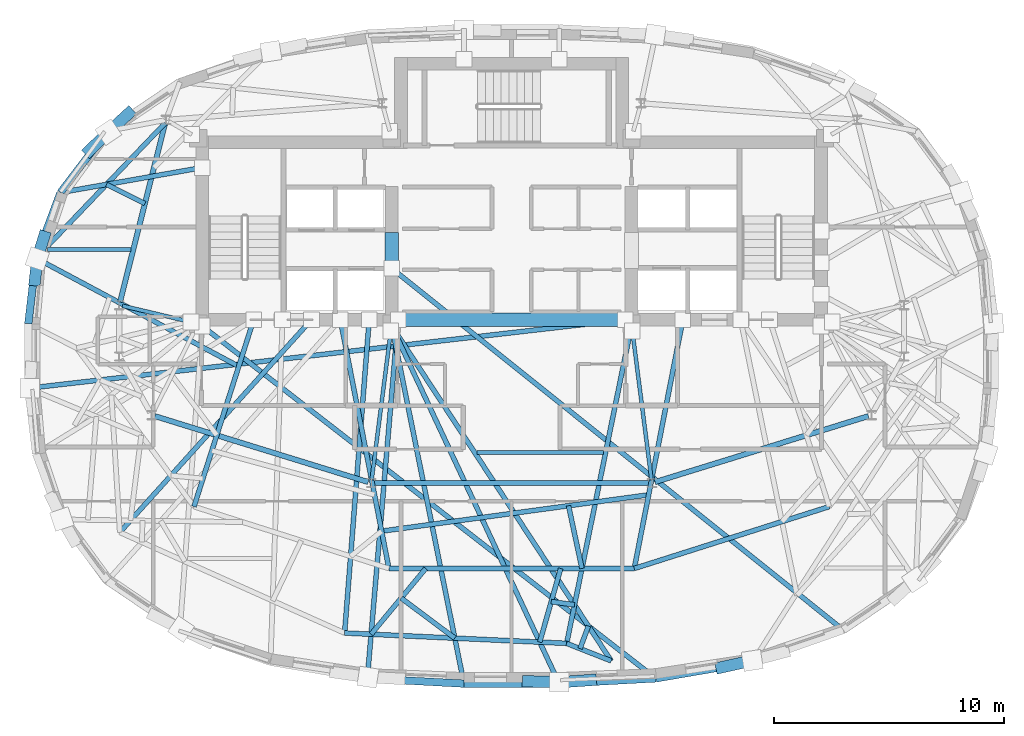
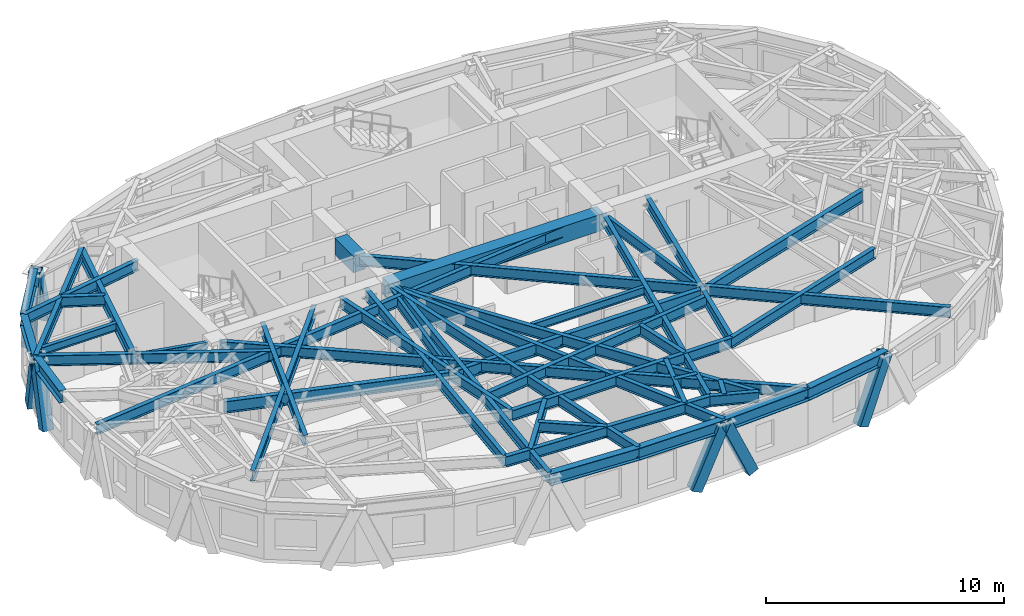
# One storey, part 2 of 12: 46 beams, 7 members.
"""IFC4 building model written with IfcOpenShell, lengths in metres."""

from ifc_helpers import new_model, si_unit, direction, frame, origin, origin_2d, place, context, subcontext, project, spatial, rectangle, hollow_rectangle, i_section, extrude, material, material_profile, profile_set, type_object, element, save


model = new_model("IFC4")

# Units and contexts
model_context = context("Model", 3, precision=1e-05, world=origin(), true_north=direction((0.0, 1.0)))
body_context = subcontext(model_context, "Body", "Model", "MODEL_VIEW")
ifc_project = project(units=[si_unit("LENGTHUNIT", "METRE"), si_unit("AREAUNIT", "SQUARE_METRE"), si_unit("VOLUMEUNIT", "CUBIC_METRE"), si_unit("PLANEANGLEUNIT", "RADIAN"), si_unit("MASSUNIT", "GRAM", prefix="KILO")], contexts=[model_context])

# Site, building, storey
site_placement = place(None, origin())
site = spatial("IfcSite", under=ifc_project, at=site_placement, CompositionType="ELEMENT")
building_placement = place(site_placement, origin())
building = spatial("IfcBuilding", under=site, at=building_placement, Name="Keldmark Tower", CompositionType="ELEMENT")
storey_placement = place(building_placement, frame((0.0, 0.0, 250.949951171875)))
storey = spatial("IfcBuildingStorey", under=building, at=storey_placement, Name="L71", CompositionType="ELEMENT", Elevation=250.949951171875)

# Beams
ifc_material_1 = material(Name="Steel ASTM A992 Grade 50", Category="steel")
ifc_material_profile_1 = material_profile(ifc_material_1, i_section(OverallWidth=0.177978515625, OverallDepth=0.403076171875, WebThickness=0.007568359375, FlangeThickness=0.010986328125, at=origin_2d()), Name="W16X36")
ifc_profile_set_1 = profile_set([ifc_material_profile_1], Name="Steel ASTM A992 Grade 50")
beam_type_1 = type_object("IfcBeamType", Name="Composite Floor Joist W16X36", PredefinedType="JOIST", material=ifc_profile_set_1)
beam_1_placement = place(storey_placement, frame((-1.4921875, -4.179931640625, 2.7685546875), z_axis=(1.0, 0.0, 0.0), x_axis=(0.0, 1.0, 0.0)))
element("IfcBeam", 1, at=beam_1_placement, inside=storey, type_object=beam_type_1, Name="L71 Composite Floor Joist J03", PredefinedType="JOIST", context=body_context, shape_type="SweptSolid", body=[
    extrude(i_section(OverallWidth=0.177978515625, OverallDepth=0.403076171875, WebThickness=0.007568359375, FlangeThickness=0.010986328125, at=origin_2d()), origin(), (0.0, 0.0, 1.0), 5.4755859375),
])
beam_2_placement = place(storey_placement, frame((-20.14306640625, 4.6201171875, 2.7685546875), z_axis=(1.0, 0.0, 0.0), x_axis=(0.0, 1.0, 0.0)))
element("IfcBeam", 2, at=beam_2_placement, inside=storey, type_object=beam_type_1, Name="L71 Composite Floor Joist J04", PredefinedType="JOIST", context=body_context, shape_type="SweptSolid", body=[
    extrude(i_section(OverallWidth=0.177978515625, OverallDepth=0.403076171875, WebThickness=0.007568359375, FlangeThickness=0.010986328125, at=origin_2d()), origin(), (0.0, 0.0, 1.0), 3.6181640625),
])
ifc_material_2 = material(Name="Concrete C50/60", Category="concrete")
ifc_material_profile_2 = material_profile(ifc_material_2, rectangle(XDim=0.60009765625, YDim=0.85009765625, at=origin_2d()), Name="RCB600X850")
ifc_profile_set_2 = profile_set([ifc_material_profile_2], Name="Concrete C50/60")
beam_type_2 = type_object("IfcBeamType", Name="Core Coupling Beam RCB600X850", PredefinedType="USERDEFINED", material=ifc_profile_set_2)
beam_3_placement = place(storey_placement, frame((-5.199951171875, 3.800048828125, 2.545166015625), z_axis=(0.0, 1.0, 0.0), x_axis=(-1.0, 0.0, 0.0)))
element("IfcBeam", 3, at=beam_3_placement, inside=storey, type_object=beam_type_2, Name="L71 West Core Coupling Beam", ObjectType="COUPLING BEAM", PredefinedType="USERDEFINED", context=body_context, shape_type="SweptSolid", body=[
    extrude(rectangle(XDim=0.60009765625, YDim=0.85009765625, at=origin_2d()), origin(), (0.0, 0.0, 1.0), 1.550048828125),
])
beam_4_placement = place(storey_placement, frame((-5.199951171875, 1.574951171875, 2.545166015625), z_axis=(1.0, 0.0, 0.0), x_axis=(0.0, 1.0, 0.0)))
element("IfcBeam", 4, at=beam_4_placement, inside=storey, type_object=beam_type_2, Name="L71 Central South Core Coupling Beam", ObjectType="COUPLING BEAM", PredefinedType="USERDEFINED", context=body_context, shape_type="SweptSolid", body=[
    extrude(rectangle(XDim=0.60009765625, YDim=0.85009765625, at=origin_2d()), origin(), (0.0, 0.0, 1.0), 10.39990234375),
])

# Members
ifc_material_3 = material(Name="Steel ASTM A572 Grade 50", Category="steel")
ifc_material_profile_3 = material_profile(ifc_material_3, hollow_rectangle(XDim=0.5, YDim=0.5, WallThickness=0.030029296875, at=origin_2d()), Name="BOX500X500X30")
ifc_profile_set_3 = profile_set([ifc_material_profile_3], Name="Steel ASTM A572 Grade 50")
member_type = type_object("IfcMemberType", Name="Diagrid Upper Brace BOX500X500X30", PredefinedType="BRACE", material=ifc_profile_set_3)
member_1_placement = place(storey_placement, frame((-16.612548828125, 10.525390625, -0.260009765625), z_axis=(-0.26582714365, -0.244010429575, 0.932627921498), x_axis=(0.676229778766, -0.736690767086, 0.0)))
element("IfcMember", 5, at=member_1_placement, inside=storey, type_object=member_type, Name="L71 Perimeter Diagrid Brace 06B", PredefinedType="BRACE", context=body_context, shape_type="SweptSolid", body=[
    extrude(hollow_rectangle(XDim=0.5, YDim=0.5, WallThickness=0.030029296875, at=origin_2d()), origin(), (0.0, 0.0, 1.0), 3.334716796875),
])
member_2_placement = place(storey_placement, frame((-18.32421875, 8.91015625, -0.260009765625), z_axis=(0.251042980885, 0.243910242412, 0.936741808288), x_axis=(-0.69684435686, 0.717222379958, 0.0)))
element("IfcMember", 6, at=member_2_placement, inside=storey, type_object=member_type, Name="L71 Perimeter Diagrid Brace 07A", PredefinedType="BRACE", context=body_context, shape_type="SweptSolid", body=[
    extrude(hollow_rectangle(XDim=0.5, YDim=0.5, WallThickness=0.030029296875, at=origin_2d()), origin(), (0.0, 0.0, 1.0), 3.320068359375),
])
member_3_placement = place(storey_placement, frame((-20.28515625, 5.18359375, -0.260009765625), z_axis=(-0.091362196537, -0.295807503985, 0.950868481773), x_axis=(0.955465694242, -0.295102197767, 0.0)))
element("IfcMember", 7, at=member_3_placement, inside=storey, type_object=member_type, Name="L71 Perimeter Diagrid Brace 07B", PredefinedType="BRACE", context=body_context, shape_type="SweptSolid", body=[
    extrude(hollow_rectangle(XDim=0.5, YDim=0.5, WallThickness=0.030029296875, at=origin_2d()), origin(), (0.0, 0.0, 1.0), 3.270751953125),
])
member_4_placement = place(storey_placement, frame((-20.68603515625, 3.281005859375, -0.260009765625), z_axis=(0.032726697691, 0.290862278792, 0.956205050203), x_axis=(-0.99372953543, 0.111810600632, 0.0)))
element("IfcMember", 8, at=member_4_placement, inside=storey, type_object=member_type, Name="L71 Perimeter Diagrid Brace 08A", PredefinedType="BRACE", context=body_context, shape_type="SweptSolid", body=[
    extrude(hollow_rectangle(XDim=0.5, YDim=0.5, WallThickness=0.030029296875, at=origin_2d()), origin(), (0.0, 0.0, 1.0), 3.25244140625),
])
member_5_placement = place(storey_placement, frame((0.6923828125, -14.1171875, -0.260009765625), z_axis=(0.405281794014, -0.012342150951, 0.914108493971), x_axis=(0.030439146415, 0.999536621823, 0.0)))
element("IfcMember", 9, at=member_5_placement, inside=storey, type_object=member_type, Name="L71 Perimeter Diagrid Brace 12B", PredefinedType="BRACE", context=body_context, shape_type="SweptSolid", body=[
    extrude(hollow_rectangle(XDim=0.5, YDim=0.5, WallThickness=0.030029296875, at=origin_2d()), origin(), (0.0, 0.0, 1.0), 3.40234375),
])
member_6_placement = place(storey_placement, frame((3.4560546875, -14.06103515625, -0.260009765625), z_axis=(-0.409447533875, -0.02877585815, 0.911879743712), x_axis=(0.07010679643, -0.997539491496, 0.0)))
element("IfcMember", 10, at=member_6_placement, inside=storey, type_object=member_type, Name="L71 Perimeter Diagrid Brace 13A", PredefinedType="BRACE", context=body_context, shape_type="SweptSolid", body=[
    extrude(hollow_rectangle(XDim=0.5, YDim=0.5, WallThickness=0.030029296875, at=origin_2d()), origin(), (0.0, 0.0, 1.0), 3.41064453125),
])
member_7_placement = place(storey_placement, frame((9.089111328125, -13.513671875, -0.260009765625), z_axis=(0.398098379562, 0.088091989284, 0.913103215203), x_axis=(-0.216055518034, 0.97638107987, 0.0)))
element("IfcMember", 11, at=member_7_placement, inside=storey, type_object=member_type, Name="L71 Perimeter Diagrid Brace 13B", PredefinedType="BRACE", context=body_context, shape_type="SweptSolid", body=[
    extrude(hollow_rectangle(XDim=0.5, YDim=0.5, WallThickness=0.030029296875, at=origin_2d()), origin(), (0.0, 0.0, 1.0), 3.406005859375),
])

# Beams
ifc_material_4 = material(Name="Steel ASTM A992 Grade 50", Category="steel")
ifc_material_profile_4 = material_profile(ifc_material_4, i_section(OverallWidth=0.22802734375, OverallDepth=0.60302734375, WebThickness=0.010498046875, FlangeThickness=0.014892578125, at=origin_2d()), Name="W24X68")
ifc_profile_set_4 = profile_set([ifc_material_profile_4], Name="Steel ASTM A992 Grade 50")
beam_type_3 = type_object("IfcBeamType", Name="Primary Floor Girder W24X68", PredefinedType="BEAM", material=ifc_profile_set_4)
beam_5_placement = place(storey_placement, frame((-15.030029296875, 10.10791015625, 2.66845703125), z_axis=(-0.244902129455, -0.969547805417, 0.0), x_axis=(0.969547805417, -0.244902129455, 0.0)))
element("IfcBeam", 12, at=beam_5_placement, inside=storey, type_object=beam_type_3, Name="L71 Floor Ring Girder FG-R05", PredefinedType="BEAM", context=body_context, shape_type="SweptSolid", body=[
    extrude(i_section(OverallWidth=0.22802734375, OverallDepth=0.60302734375, WebThickness=0.010498046875, FlangeThickness=0.014892578125, at=origin_2d()), origin(), (0.0, 0.0, 1.0), 8.008056640625),
])
beam_6_placement = place(storey_placement, frame((-15.482421875, -2.60888671875, 2.66845703125), z_axis=(0.955383255089, -0.295368982622, 0.0), x_axis=(0.295368982622, 0.955383255089, 0.0)))
element("IfcBeam", 13, at=beam_6_placement, inside=storey, type_object=beam_type_3, Name="L71 Floor Ring Girder FG-R08", PredefinedType="BEAM", context=body_context, shape_type="SweptSolid", body=[
    extrude(i_section(OverallWidth=0.22802734375, OverallDepth=0.60302734375, WebThickness=0.010498046875, FlangeThickness=0.014892578125, at=origin_2d()), origin(), (0.0, 0.0, 1.0), 9.69140625),
])
beam_7_placement = place(storey_placement, frame((-5.949462890625, -5.512939453125, 2.66845703125), z_axis=(1.0, 0.0, 0.0), x_axis=(0.0, 1.0, 0.0)))
element("IfcBeam", 14, at=beam_7_placement, inside=storey, type_object=beam_type_3, Name="L71 Floor Ring Girder FG-R09", PredefinedType="BEAM", context=body_context, shape_type="SweptSolid", body=[
    extrude(i_section(OverallWidth=0.22802734375, OverallDepth=0.60302734375, WebThickness=0.010498046875, FlangeThickness=0.014892578125, at=origin_2d()), origin(), (0.0, 0.0, 1.0), 11.89892578125),
])
beam_8_placement = place(storey_placement, frame((6.223388671875, -5.471435546875, 2.66845703125), z_axis=(0.955383255089, 0.295368982622, 0.0), x_axis=(-0.295368982622, 0.955383255089, 0.0)))
element("IfcBeam", 15, at=beam_8_placement, inside=storey, type_object=beam_type_3, Name="L71 Floor Ring Girder FG-R10", PredefinedType="BEAM", context=body_context, shape_type="SweptSolid", body=[
    extrude(i_section(OverallWidth=0.22802734375, OverallDepth=0.60302734375, WebThickness=0.010498046875, FlangeThickness=0.014892578125, at=origin_2d()), origin(), (0.0, 0.0, 1.0), 9.69140625),
])
ifc_material_5 = material(Name="Steel ASTM A992 Grade 50", Category="steel")
ifc_material_profile_5 = material_profile(ifc_material_5, i_section(OverallWidth=0.166015625, OverallDepth=0.529052734375, WebThickness=0.009765625, FlangeThickness=0.013671875, at=origin_2d()), Name="W21X50")
ifc_profile_set_5 = profile_set([ifc_material_profile_5], Name="Steel ASTM A992 Grade 50")
beam_type_4 = type_object("IfcBeamType", Name="Radial Tie Girder W21X50", PredefinedType="BEAM", material=ifc_profile_set_5)
beam_9_placement = place(storey_placement, frame((-16.889404296875, 2.17578125, 2.70556640625), z_axis=(0.97329039005, -0.229577474147, 0.0), x_axis=(0.229577474147, 0.97329039005, 0.0)))
element("IfcBeam", 16, at=beam_9_placement, inside=storey, type_object=beam_type_4, Name="L71 Floor Radial Girder FG-C06", PredefinedType="BEAM", context=body_context, shape_type="SweptSolid", body=[
    extrude(i_section(OverallWidth=0.166015625, OverallDepth=0.529052734375, WebThickness=0.009765625, FlangeThickness=0.013671875, at=origin_2d()), origin(), (0.0, 0.0, 1.0), 3.0595703125),
])
for number, where, z_axis, x_axis, name in (
    (17, (-6.071533203125, -5.3740234375, 2.70556640625), (0.127625044513, 0.991822488157, 0.0), (-0.991822488157, 0.127625044513, 0.0), "L71 Floor Radial Girder FG-C09"),
    (18, (6.071533203125, -5.3740234375, 2.70556640625), (-0.127625044513, 0.991822488157, 0.0), (-0.991822488157, -0.127625044513, 0.0), "L71 Floor Radial Girder FG-C10"),
):
    element("IfcBeam", number, at=place(storey_placement, frame(where, z_axis=z_axis, x_axis=x_axis)), inside=storey, type_object=beam_type_4, Name=name, PredefinedType="BEAM", context=body_context, shape_type="SweptSolid", body=[
        extrude(i_section(OverallWidth=0.166015625, OverallDepth=0.529052734375, WebThickness=0.009765625, FlangeThickness=0.013671875, at=origin_2d()), origin(), (0.0, 0.0, 1.0), 6.509765625),
    ])
ifc_material_6 = material(Name="Steel ASTM A992 Grade 50", Category="steel")
ifc_material_profile_6 = material_profile(ifc_material_6, i_section(OverallWidth=0.2099609375, OverallDepth=0.537109375, WebThickness=0.010986328125, FlangeThickness=0.017333984375, at=origin_2d()), Name="W21X68")
ifc_profile_set_6 = profile_set([ifc_material_profile_6], Name="Steel ASTM A992 Grade 50")
beam_type_5 = type_object("IfcBeamType", Name="Radial Tie Girder W21X68", PredefinedType="BEAM", material=ifc_profile_set_6)
beam_10_placement = place(storey_placement, frame((-11.19287109375, 1.574951171875, 2.70166015625), z_axis=(-0.304029653718, -0.952662568625, 0.0), x_axis=(0.952662568625, -0.304029653718, 0.0)))
element("IfcBeam", 19, at=beam_10_placement, inside=storey, type_object=beam_type_5, Name="L71 Sub-Ring Step Girder STP1-M08", PredefinedType="BEAM", context=body_context, shape_type="SweptSolid", body=[
    extrude(i_section(OverallWidth=0.2099609375, OverallDepth=0.537109375, WebThickness=0.010986328125, FlangeThickness=0.017333984375, at=origin_2d()), origin(), (0.0, 0.0, 1.0), 8.514404296875),
])
beam_11_placement = place(storey_placement, frame((-7.43212890625, 1.574951171875, 2.70166015625), z_axis=(0.191688174065, -0.981455879764, 0.0), x_axis=(0.981455879764, 0.191688174065, 0.0)))
element("IfcBeam", 20, at=beam_11_placement, inside=storey, type_object=beam_type_5, Name="L71 Sub-Ring Step Girder STP1-M09", PredefinedType="BEAM", context=body_context, shape_type="SweptSolid", body=[
    extrude(i_section(OverallWidth=0.2099609375, OverallDepth=0.537109375, WebThickness=0.010986328125, FlangeThickness=0.017333984375, at=origin_2d()), origin(), (0.0, 0.0, 1.0), 11.00048828125),
])
beam_12_placement = place(storey_placement, frame((-5.639892578125, -7.601806640625, 2.70166015625), z_axis=(0.990867478667, 0.134839310735, 0.0), x_axis=(-0.134839310735, 0.990867478667, 0.0)))
element("IfcBeam", 21, at=beam_12_placement, inside=storey, type_object=beam_type_5, Name="L71 Framing Pin Header PH-004", PredefinedType="BEAM", context=body_context, shape_type="SweptSolid", body=[
    extrude(i_section(OverallWidth=0.2099609375, OverallDepth=0.537109375, WebThickness=0.010986328125, FlangeThickness=0.017333984375, at=origin_2d()), origin(), (0.0, 0.0, 1.0), 11.694580078125),
])
beam_13_placement = place(storey_placement, frame((7.43212890625, 1.574951171875, 2.70166015625), z_axis=(-0.191688174065, -0.981455879764, 0.0), x_axis=(0.981455879764, -0.191688174065, 0.0)))
element("IfcBeam", 22, at=beam_13_placement, inside=storey, type_object=beam_type_5, Name="L71 Sub-Ring Step Girder STP1-M10", PredefinedType="BEAM", context=body_context, shape_type="SweptSolid", body=[
    extrude(i_section(OverallWidth=0.2099609375, OverallDepth=0.537109375, WebThickness=0.010986328125, FlangeThickness=0.017333984375, at=origin_2d()), origin(), (0.0, 0.0, 1.0), 11.00048828125),
])
beam_14_placement = place(storey_placement, frame((-5.323486328125, -9.221435546875, 2.70166015625), z_axis=(1.0, 0.0, 0.0), x_axis=(0.0, 1.0, 0.0)))
element("IfcBeam", 23, at=beam_14_placement, inside=storey, type_object=beam_type_5, Name="L71 Perimeter Collector Ring Beam CRG1-M09", PredefinedType="BEAM", context=body_context, shape_type="SweptSolid", body=[
    extrude(i_section(OverallWidth=0.2099609375, OverallDepth=0.537109375, WebThickness=0.010986328125, FlangeThickness=0.017333984375, at=origin_2d()), origin(), (0.0, 0.0, 1.0), 10.64697265625),
])
beam_15_placement = place(storey_placement, frame((5.323486328125, -9.221435546875, 2.70166015625), z_axis=(0.953125022792, 0.302576752126, 0.0), x_axis=(-0.302576752126, 0.953125022792, 0.0)))
element("IfcBeam", 24, at=beam_15_placement, inside=storey, type_object=beam_type_5, Name="L71 Perimeter Collector Ring Beam CRG1-M10", PredefinedType="BEAM", context=body_context, shape_type="SweptSolid", body=[
    extrude(i_section(OverallWidth=0.2099609375, OverallDepth=0.537109375, WebThickness=0.010986328125, FlangeThickness=0.017333984375, at=origin_2d()), origin(), (0.0, 0.0, 1.0), 8.8740234375),
])
beam_16_placement = place(storey_placement, frame((-8.685791015625, 1.574951171875, 2.70166015625), z_axis=(-0.669482635603, -0.742827705882, 0.0), x_axis=(0.742827705882, -0.669482635603, 0.0)))
element("IfcBeam", 25, at=beam_16_placement, inside=storey, type_object=beam_type_5, Name="L71 Sub-Ring Step Girder STP2-M08", PredefinedType="BEAM", context=body_context, shape_type="SweptSolid", body=[
    extrude(i_section(OverallWidth=0.2099609375, OverallDepth=0.537109375, WebThickness=0.010986328125, FlangeThickness=0.017333984375, at=origin_2d()), origin(), (0.0, 0.0, 1.0), 12.419189453125),
])
beam_17_placement = place(storey_placement, frame((-6.1787109375, 1.574951171875, 2.70166015625), z_axis=(-0.078284392954, -0.996931067737, 0.0), x_axis=(0.996931067737, -0.078284392954, 0.0)))
element("IfcBeam", 26, at=beam_17_placement, inside=storey, type_object=beam_type_5, Name="L71 Sub-Ring Step Girder STP2-M09", PredefinedType="BEAM", context=body_context, shape_type="SweptSolid", body=[
    extrude(i_section(OverallWidth=0.2099609375, OverallDepth=0.537109375, WebThickness=0.010986328125, FlangeThickness=0.017333984375, at=origin_2d()), origin(), (0.0, 0.0, 1.0), 13.6376953125),
])
beam_18_placement = place(storey_placement, frame((2.4716796875, -6.498046875, 2.70166015625), z_axis=(0.208660833377, -0.977988065681, 0.0), x_axis=(0.977988065681, 0.208660833377, 0.0)))
element("IfcBeam", 27, at=beam_18_placement, inside=storey, type_object=beam_type_5, Name="L71 Framing Pin Header PH-009", PredefinedType="BEAM", context=body_context, shape_type="SweptSolid", body=[
    extrude(i_section(OverallWidth=0.2099609375, OverallDepth=0.537109375, WebThickness=0.010986328125, FlangeThickness=0.017333984375, at=origin_2d()), origin(), (0.0, 0.0, 1.0), 2.78466796875),
])
beam_19_placement = place(storey_placement, frame((5.199951171875, 1.300048828125, 2.70166015625), z_axis=(-0.199962734513, -0.979803503161, 0.0), x_axis=(0.979803503161, -0.199962734513, 0.0)))
element("IfcBeam", 28, at=beam_19_placement, inside=storey, type_object=beam_type_5, Name="L71 Sub-Ring Step Girder STP2-M10", PredefinedType="BEAM", context=body_context, shape_type="SweptSolid", body=[
    extrude(i_section(OverallWidth=0.2099609375, OverallDepth=0.537109375, WebThickness=0.010986328125, FlangeThickness=0.017333984375, at=origin_2d()), origin(), (0.0, 0.0, 1.0), 14.055419921875),
])
beam_20_placement = place(storey_placement, frame((-7.246337890625, -12.02099609375, 2.70166015625), z_axis=(0.998909159046, -0.04669573828, 0.0), x_axis=(0.04669573828, 0.998909159046, 0.0)))
element("IfcBeam", 29, at=beam_20_placement, inside=storey, type_object=beam_type_5, Name="L71 Perimeter Collector Ring Beam CRG2-M09", PredefinedType="BEAM", context=body_context, shape_type="SweptSolid", body=[
    extrude(i_section(OverallWidth=0.2099609375, OverallDepth=0.537109375, WebThickness=0.010986328125, FlangeThickness=0.017333984375, at=origin_2d()), origin(), (0.0, 0.0, 1.0), 9.646240234375),
])
beam_21_placement = place(storey_placement, frame((-11.840087890625, -0.452880859375, 2.70166015625), z_axis=(-0.882119707426, 0.471025287824, 0.0), x_axis=(-0.471025287824, -0.882119707426, 0.0)))
element("IfcBeam", 30, at=beam_21_placement, inside=storey, type_object=beam_type_5, Name="L71 Perimeter Radial Tie Girder RT-15", PredefinedType="BEAM", context=body_context, shape_type="SweptSolid", body=[
    extrude(i_section(OverallWidth=0.2099609375, OverallDepth=0.537109375, WebThickness=0.010986328125, FlangeThickness=0.017333984375, at=origin_2d()), origin(), (0.0, 0.0, 1.0), 9.972412109375),
])
beam_22_placement = place(storey_placement, frame((4.925048828125, 1.574951171875, 2.70166015625), z_axis=(-0.993464480642, -0.114141691341, 0.0), x_axis=(0.114141691341, -0.993464480642, 0.0)))
element("IfcBeam", 31, at=beam_22_placement, inside=storey, type_object=beam_type_5, Name="L71 Perimeter Radial Tie Girder RT-17", PredefinedType="BEAM", context=body_context, shape_type="SweptSolid", body=[
    extrude(i_section(OverallWidth=0.2099609375, OverallDepth=0.537109375, WebThickness=0.010986328125, FlangeThickness=0.017333984375, at=origin_2d()), origin(), (0.0, 0.0, 1.0), 26.067138671875),
])
beam_23_placement = place(storey_placement, frame((-3.7265625, -9.221435546875, 2.70166015625), z_axis=(-0.638817138917, -0.76935860496, 0.0), x_axis=(0.76935860496, -0.638817138917, 0.0)))
element("IfcBeam", 32, at=beam_23_placement, inside=storey, type_object=beam_type_5, Name="L71 Framing Pin Header PH-022", PredefinedType="BEAM", context=body_context, shape_type="SweptSolid", body=[
    extrude(i_section(OverallWidth=0.2099609375, OverallDepth=0.537109375, WebThickness=0.010986328125, FlangeThickness=0.017333984375, at=origin_2d()), origin(), (0.0, 0.0, 1.0), 3.708740234375),
])
beam_24_placement = place(storey_placement, frame((-4.925048828125, 1.574951171875, 2.70166015625), z_axis=(-0.085458313944, -0.996341746881, 0.0), x_axis=(0.996341746881, -0.085458313944, 0.0)))
element("IfcBeam", 33, at=beam_24_placement, inside=storey, type_object=beam_type_5, Name="L71 Perimeter Radial Tie Girder RT-23", PredefinedType="BEAM", context=body_context, shape_type="SweptSolid", body=[
    extrude(i_section(OverallWidth=0.2099609375, OverallDepth=0.537109375, WebThickness=0.010986328125, FlangeThickness=0.017333984375, at=origin_2d()), origin(), (0.0, 0.0, 1.0), 15.6240234375),
])
beam_25_placement = place(storey_placement, frame((-4.792724609375, -10.50537109375, 2.70166015625), z_axis=(0.801198055762, -0.598399260899, 0.0), x_axis=(0.598399260899, 0.801198055762, 0.0)))
element("IfcBeam", 34, at=beam_25_placement, inside=storey, type_object=beam_type_5, Name="L71 Framing Pin Header PH-023", PredefinedType="BEAM", context=body_context, shape_type="SweptSolid", body=[
    extrude(i_section(OverallWidth=0.2099609375, OverallDepth=0.537109375, WebThickness=0.010986328125, FlangeThickness=0.017333984375, at=origin_2d()), origin(), (0.0, 0.0, 1.0), 2.906005859375),
])
beam_26_placement = place(storey_placement, frame((-5.199951171875, 1.300048828125, 2.70166015625), z_axis=(0.197984034288, -0.980205244919, 0.0), x_axis=(0.980205244919, 0.197984034288, 0.0)))
element("IfcBeam", 35, at=beam_26_placement, inside=storey, type_object=beam_type_5, Name="L71 Perimeter Radial Tie Girder RT-24", PredefinedType="BEAM", context=body_context, shape_type="SweptSolid", body=[
    extrude(i_section(OverallWidth=0.2099609375, OverallDepth=0.537109375, WebThickness=0.010986328125, FlangeThickness=0.017333984375, at=origin_2d()), origin(), (0.0, 0.0, 1.0), 15.832275390625),
])
beam_27_placement = place(storey_placement, frame((2.12939453125, -9.221435546875, 2.70166015625), z_axis=(-0.273196713432, -0.961958188161, 0.0), x_axis=(0.961958188161, -0.273196713432, 0.0)))
element("IfcBeam", 36, at=beam_27_placement, inside=storey, type_object=beam_type_5, Name="L71 Framing Pin Header PH-024", PredefinedType="BEAM", context=body_context, shape_type="SweptSolid", body=[
    extrude(i_section(OverallWidth=0.2099609375, OverallDepth=0.537109375, WebThickness=0.010986328125, FlangeThickness=0.017333984375, at=origin_2d()), origin(), (0.0, 0.0, 1.0), 3.32177734375),
])
beam_28_placement = place(storey_placement, frame((-5.199951171875, 1.300048828125, 2.70166015625), z_axis=(0.424000529992, -0.905661940553, 0.0), x_axis=(0.905661940553, 0.424000529992, 0.0)))
element("IfcBeam", 37, at=beam_28_placement, inside=storey, type_object=beam_type_5, Name="L71 Perimeter Radial Tie Girder RT-25", PredefinedType="BEAM", context=body_context, shape_type="SweptSolid", body=[
    extrude(i_section(OverallWidth=0.2099609375, OverallDepth=0.537109375, WebThickness=0.010986328125, FlangeThickness=0.017333984375, at=origin_2d()), origin(), (0.0, 0.0, 1.0), 17.13525390625),
])
beam_29_placement = place(storey_placement, frame((1.720947265625, -10.6591796875, 2.70166015625), z_axis=(0.990506770882, -0.13746394741, 0.0), x_axis=(0.13746394741, 0.990506770882, 0.0)))
element("IfcBeam", 38, at=beam_29_placement, inside=storey, type_object=beam_type_5, Name="L71 Framing Pin Header PH-025", PredefinedType="BEAM", context=body_context, shape_type="SweptSolid", body=[
    extrude(i_section(OverallWidth=0.2099609375, OverallDepth=0.537109375, WebThickness=0.010986328125, FlangeThickness=0.017333984375, at=origin_2d()), origin(), (0.0, 0.0, 1.0), 1.01953125),
])
beam_30_placement = place(storey_placement, frame((-5.199951171875, 1.300048828125, 2.70166015625), z_axis=(0.548181852102, -0.836359167479, 0.0), x_axis=(0.836359167479, 0.548181852102, 0.0)))
element("IfcBeam", 39, at=beam_30_placement, inside=storey, type_object=beam_type_5, Name="L71 Intermediate Radial Step Girder RT-26M", PredefinedType="BEAM", context=body_context, shape_type="SweptSolid", body=[
    extrude(i_section(OverallWidth=0.2099609375, OverallDepth=0.537109375, WebThickness=0.010986328125, FlangeThickness=0.017333984375, at=origin_2d()), origin(), (0.0, 0.0, 1.0), 17.375),
])
beam_31_placement = place(storey_placement, frame((2.389404296875, -12.471435546875, 2.70166015625), z_axis=(0.930758629057, -0.365634208513, 0.0), x_axis=(0.365634208513, 0.930758629057, 0.0)))
element("IfcBeam", 40, at=beam_31_placement, inside=storey, type_object=beam_type_5, Name="L71 Local Collector Chord RT-26C", PredefinedType="BEAM", context=body_context, shape_type="SweptSolid", body=[
    extrude(i_section(OverallWidth=0.2099609375, OverallDepth=0.537109375, WebThickness=0.010986328125, FlangeThickness=0.017333984375, at=origin_2d()), origin(), (0.0, 0.0, 1.0), 2.079345703125),
])
beam_32_placement = place(storey_placement, frame((2.969970703125, -12.699462890625, 2.70166015625), z_axis=(0.346364609252, 0.938099971995, 0.0), x_axis=(-0.938099971995, 0.346364609252, 0.0)))
element("IfcBeam", 41, at=beam_32_placement, inside=storey, type_object=beam_type_5, Name="L71 Framing Pin Header PH-026", PredefinedType="BEAM", context=body_context, shape_type="SweptSolid", body=[
    extrude(i_section(OverallWidth=0.2099609375, OverallDepth=0.537109375, WebThickness=0.010986328125, FlangeThickness=0.017333984375, at=origin_2d()), origin(), (0.0, 0.0, 1.0), 1.046630859375),
])
beam_33_placement = place(storey_placement, frame((-13.425048828125, 1.300048828125, 2.70166015625), z_axis=(0.789717552507, -0.613470608312, 0.0), x_axis=(0.613470608312, 0.789717552507, 0.0)))
element("IfcBeam", 42, at=beam_33_placement, inside=storey, type_object=beam_type_5, Name="L71 Perimeter Radial Tie Girder RT-26", PredefinedType="BEAM", context=body_context, shape_type="SweptSolid", body=[
    extrude(i_section(OverallWidth=0.2099609375, OverallDepth=0.537109375, WebThickness=0.010986328125, FlangeThickness=0.017333984375, at=origin_2d()), origin(), (0.0, 0.0, 1.0), 24.927001953125),
])
beam_34_placement = place(storey_placement, frame((-5.199951171875, 3.800048828125, 2.70166015625), z_axis=(0.780546072473, -0.625098255274, 0.0), x_axis=(0.625098255274, 0.780546072473, 0.0)))
element("IfcBeam", 43, at=beam_34_placement, inside=storey, type_object=beam_type_5, Name="L71 Perimeter Radial Tie Girder RT-28", PredefinedType="BEAM", context=body_context, shape_type="SweptSolid", body=[
    extrude(i_section(OverallWidth=0.2099609375, OverallDepth=0.537109375, WebThickness=0.010986328125, FlangeThickness=0.017333984375, at=origin_2d()), origin(), (0.0, 0.0, 1.0), 25.100830078125),
])
beam_35_placement = place(storey_placement, frame((-15.030029296875, 10.10791015625, 2.70166015625), z_axis=(-0.691116050376, -0.722743803095, 0.0), x_axis=(0.722743803095, -0.691116050376, 0.0)))
element("IfcBeam", 44, at=beam_35_placement, inside=storey, type_object=beam_type_5, Name="L71 Straddling Support Chord RT-14RB", PredefinedType="BEAM", context=body_context, shape_type="SweptSolid", body=[
    extrude(i_section(OverallWidth=0.2099609375, OverallDepth=0.537109375, WebThickness=0.010986328125, FlangeThickness=0.017333984375, at=origin_2d()), origin(), (0.0, 0.0, 1.0), 8.11279296875),
])
beam_36_placement = place(storey_placement, frame((-15.91259765625, 6.614013671875, 2.70166015625), z_axis=(-0.894768194675, 0.446530937111, 0.0), x_axis=(-0.446530937111, -0.894768194675, 0.0)))
element("IfcBeam", 45, at=beam_36_placement, inside=storey, type_object=beam_type_5, Name="L71 Framing Pin Header PH-032", PredefinedType="BEAM", context=body_context, shape_type="SweptSolid", body=[
    extrude(i_section(OverallWidth=0.2099609375, OverallDepth=0.537109375, WebThickness=0.010986328125, FlangeThickness=0.017333984375, at=origin_2d()), origin(), (0.0, 0.0, 1.0), 1.860107421875),
])
beam_37_placement = place(storey_placement, frame((-13.425048828125, 8.175048828125, 2.70166015625), z_axis=(-0.984879859397, -0.173238744377, 0.0), x_axis=(0.173238744377, -0.984879859397, 0.0)))
element("IfcBeam", 46, at=beam_37_placement, inside=storey, type_object=beam_type_5, Name="L71 Perimeter Radial Tie Girder RT-14R", PredefinedType="BEAM", context=body_context, shape_type="SweptSolid", body=[
    extrude(i_section(OverallWidth=0.2099609375, OverallDepth=0.537109375, WebThickness=0.010986328125, FlangeThickness=0.017333984375, at=origin_2d()), origin(), (0.0, 0.0, 1.0), 6.2431640625),
])
ifc_material_7 = material(Name="Steel ASTM A992 Grade 50", Category="steel")
ifc_material_profile_7 = material_profile(ifc_material_7, i_section(OverallWidth=0.326904296875, OverallDepth=0.6220703125, WebThickness=0.015380859375, FlangeThickness=0.0244140625, at=origin_2d()), Name="W24X131")
ifc_profile_set_7 = profile_set([ifc_material_profile_7], Name="Steel ASTM A992 Grade 50")
beam_type_6 = type_object("IfcBeamType", Name="Spandrel Ring Beam W24X131", PredefinedType="SPANDREL", material=ifc_profile_set_7)
beam_38_placement = place(storey_placement, frame((-17.537109375, 9.758056640625, 2.658935546875), z_axis=(-0.607266352304, -0.794498318034, 0.0), x_axis=(0.794498318034, -0.607266352304, 0.0)))
element("IfcBeam", 47, at=beam_38_placement, inside=storey, type_object=beam_type_6, Name="L71 Perimeter Spandrel Ring Beam SRB-13", PredefinedType="SPANDREL", context=body_context, shape_type="SweptSolid", body=[
    extrude(i_section(OverallWidth=0.326904296875, OverallDepth=0.6220703125, WebThickness=0.015380859375, FlangeThickness=0.0244140625, at=origin_2d()), origin(), (0.0, 0.0, 1.0), 3.353759765625),
])
beam_39_placement = place(storey_placement, frame((-19.57373046875, 7.093505859375, 2.658935546875), z_axis=(-0.349627332297, -0.936888856007, 0.0), x_axis=(0.936888856007, -0.349627332297, 0.0)))
element("IfcBeam", 48, at=beam_39_placement, inside=storey, type_object=beam_type_6, Name="L71 Perimeter Spandrel Ring Beam SRB-14", PredefinedType="SPANDREL", context=body_context, shape_type="SweptSolid", body=[
    extrude(i_section(OverallWidth=0.326904296875, OverallDepth=0.6220703125, WebThickness=0.015380859375, FlangeThickness=0.0244140625, at=origin_2d()), origin(), (0.0, 0.0, 1.0), 3.041015625),
])
beam_40_placement = place(storey_placement, frame((-20.636962890625, 4.244384765625, 2.658935546875), z_axis=(-0.116885766715, -0.993145365764, 0.0), x_axis=(0.993145365764, -0.116885766715, 0.0)))
element("IfcBeam", 49, at=beam_40_placement, inside=storey, type_object=beam_type_6, Name="L71 Perimeter Spandrel Ring Beam SRB-15", PredefinedType="SPANDREL", context=body_context, shape_type="SweptSolid", body=[
    extrude(i_section(OverallWidth=0.326904296875, OverallDepth=0.6220703125, WebThickness=0.015380859375, FlangeThickness=0.0244140625, at=origin_2d()), origin(), (0.0, 0.0, 1.0), 2.863525390625),
])
beam_41_placement = place(storey_placement, frame((-6.26025390625, -13.991943359375, 2.658935546875), z_axis=(0.998541511284, -0.053989353043, 0.0), x_axis=(0.053989353043, 0.998541511284, 0.0)))
element("IfcBeam", 50, at=beam_41_placement, inside=storey, type_object=beam_type_6, Name="L71 Perimeter Spandrel Ring Beam SRB-23", PredefinedType="SPANDREL", context=body_context, shape_type="SweptSolid", body=[
    extrude(i_section(OverallWidth=0.326904296875, OverallDepth=0.6220703125, WebThickness=0.015380859375, FlangeThickness=0.0244140625, at=origin_2d()), origin(), (0.0, 0.0, 1.0), 4.200927734375),
])
beam_42_placement = place(storey_placement, frame((-2.0654296875, -14.21875, 2.658935546875), z_axis=(1.0, 0.0, 0.0), x_axis=(0.0, 1.0, 0.0)))
element("IfcBeam", 51, at=beam_42_placement, inside=storey, type_object=beam_type_6, Name="L71 Perimeter Spandrel Ring Beam SRB-24", PredefinedType="SPANDREL", context=body_context, shape_type="SweptSolid", body=[
    extrude(i_section(OverallWidth=0.326904296875, OverallDepth=0.6220703125, WebThickness=0.015380859375, FlangeThickness=0.0244140625, at=origin_2d()), origin(), (0.0, 0.0, 1.0), 4.130859375),
])
beam_43_placement = place(storey_placement, frame((2.0654296875, -14.21875, 2.658935546875), z_axis=(0.998541511284, 0.053989353043, 0.0), x_axis=(-0.053989353043, 0.998541511284, 0.0)))
element("IfcBeam", 52, at=beam_43_placement, inside=storey, type_object=beam_type_6, Name="L71 Perimeter Spandrel Ring Beam SRB-25", PredefinedType="SPANDREL", context=body_context, shape_type="SweptSolid", body=[
    extrude(i_section(OverallWidth=0.326904296875, OverallDepth=0.6220703125, WebThickness=0.015380859375, FlangeThickness=0.0244140625, at=origin_2d()), origin(), (0.0, 0.0, 1.0), 4.200927734375),
])
beam_44_placement = place(storey_placement, frame((6.26025390625, -13.991943359375, 2.658935546875), z_axis=(0.98559963167, 0.169095730439, 0.0), x_axis=(-0.169095730439, 0.98559963167, 0.0)))
element("IfcBeam", 53, at=beam_44_placement, inside=storey, type_object=beam_type_6, Name="L71 Perimeter Spandrel Ring Beam SRB-26", PredefinedType="SPANDREL", context=body_context, shape_type="SweptSolid", body=[
    extrude(i_section(OverallWidth=0.326904296875, OverallDepth=0.6220703125, WebThickness=0.015380859375, FlangeThickness=0.0244140625, at=origin_2d()), origin(), (0.0, 0.0, 1.0), 4.263427734375),
])

save(model, "model.ifc")
